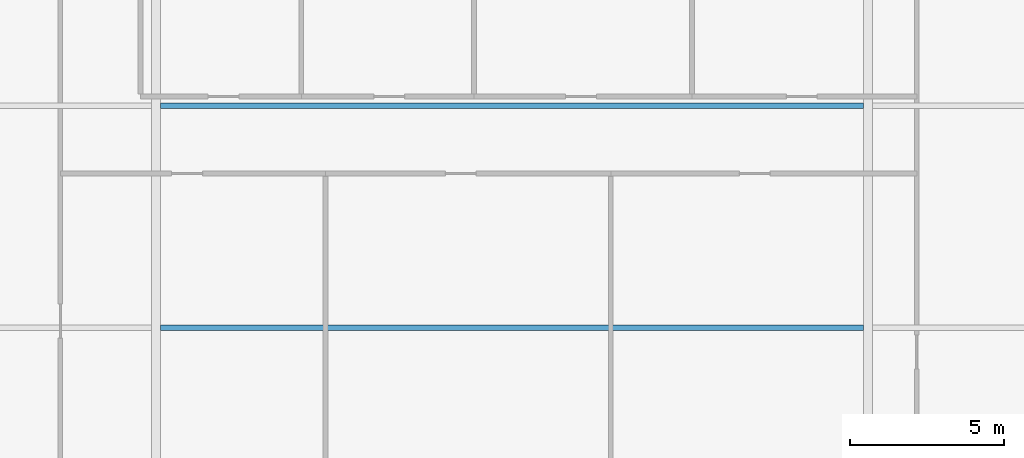
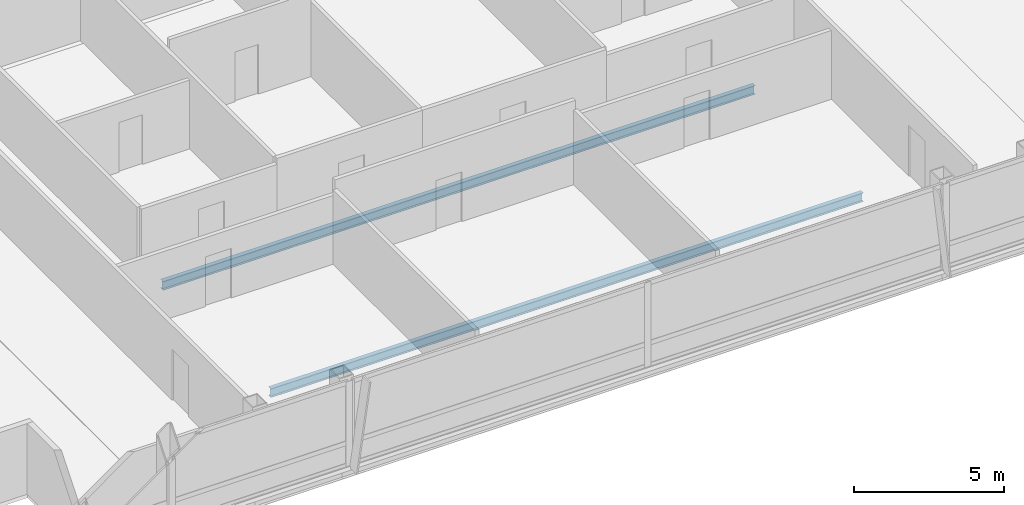
# One storey, part 10 of 29: 2 beams.
"""IFC4 building model written with IfcOpenShell, lengths in metres."""

from ifc_helpers import new_model, si_unit, direction, frame, origin, origin_2d, place, context, subcontext, project, spatial, i_section, extrude, material, material_profile, profile_set, type_object, element, save


model = new_model("IFC4")

# Units and contexts
model_context = context("Model", 3, precision=1e-05, world=origin(), true_north=direction((0.0, 1.0)))
body_context = subcontext(model_context, "Body", "Model", "MODEL_VIEW")
ifc_project = project(units=[si_unit("LENGTHUNIT", "METRE"), si_unit("AREAUNIT", "SQUARE_METRE"), si_unit("VOLUMEUNIT", "CUBIC_METRE"), si_unit("PLANEANGLEUNIT", "RADIAN"), si_unit("MASSUNIT", "GRAM", prefix="KILO")], contexts=[model_context])

# Site, building, storey
site_placement = place(None, origin())
site = spatial("IfcSite", under=ifc_project, at=site_placement, CompositionType="ELEMENT")
building_placement = place(site_placement, origin())
building = spatial("IfcBuilding", under=site, at=building_placement, Name="Khoronbel Lancet Exchange", CompositionType="ELEMENT")
storey_placement = place(building_placement, frame((0.0, 0.0, 329.0)))
storey = spatial("IfcBuildingStorey", under=building, at=storey_placement, Name="L85", CompositionType="ELEMENT", Elevation=329.0)

# Beams
ifc_material = material(Name="Steel S355", Category="steel")
ifc_material_profile = material_profile(ifc_material, i_section(OverallWidth=0.169921875, OverallDepth=0.360107421875, WebThickness=0.008056640625, FlangeThickness=0.0126953125, at=origin_2d()), Name="IPE 360")
ifc_profile_set = profile_set([ifc_material_profile], Name="Steel S355")
beam_type = type_object("IfcBeamType", Name="BM-BJ6", PredefinedType="JOIST", material=ifc_profile_set)
for number, where, z_axis, x_axis, name in (
    (1, (25.050048828125, 15.199951171875, -0.340087890625), (1.0, 0.0, 0.0), (0.0, 1.0, 0.0), "Level L85 secondary composite joist J02"),
    (2, (25.050048828125, 22.39990234375, -0.340087890625), (1.0, 0.0, 0.0), (0.0, 1.0, 0.0), "Level L85 secondary composite joist J05"),
):
    element("IfcBeam", number, at=place(storey_placement, frame(where, z_axis=z_axis, x_axis=x_axis)), inside=storey, type_object=beam_type, Name=name, PredefinedType="JOIST", context=body_context, shape_type="SweptSolid", body=[
        extrude(i_section(OverallWidth=0.169921875, OverallDepth=0.360107421875, WebThickness=0.008056640625, FlangeThickness=0.0126953125, at=origin_2d()), origin(), (0.0, 0.0, 1.0), 22.800048828125),
    ])

save(model, "model.ifc")
